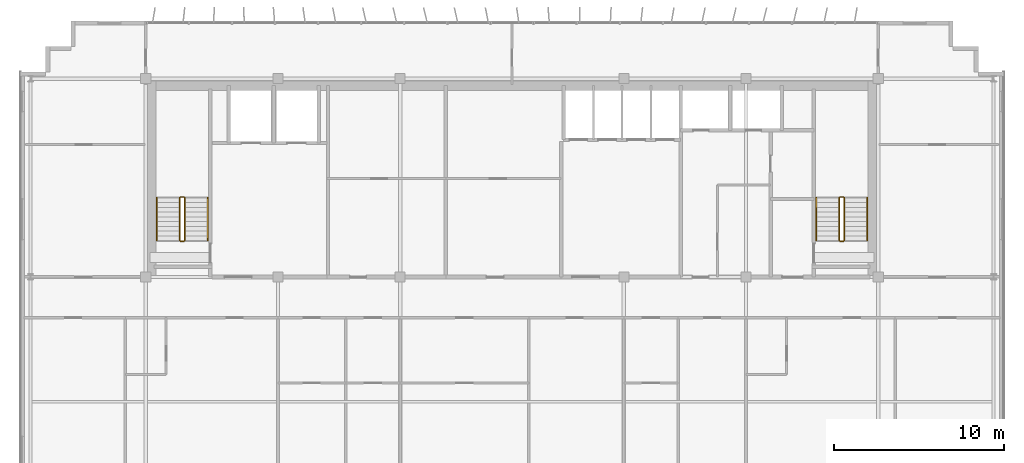
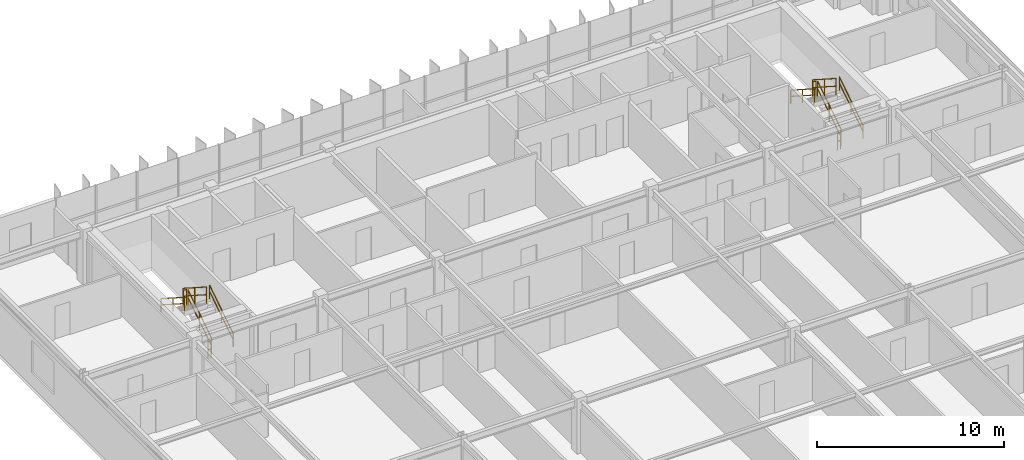
# One storey, part 22 of 22: 12 railings.
"""IFC4 building model written with IfcOpenShell, lengths in metres."""

from ifc_helpers import new_model, si_unit, direction, frame, origin, origin_2d, place, context, subcontext, project, spatial, rectangle, extrude, material, type_object, element, save


model = new_model("IFC4")

# Units and contexts
model_context = context("Model", 3, precision=1e-05, world=origin(), true_north=direction((0.0, 1.0)))
body_context = subcontext(model_context, "Body", "Model", "MODEL_VIEW")
ifc_project = project(units=[si_unit("LENGTHUNIT", "METRE"), si_unit("AREAUNIT", "SQUARE_METRE"), si_unit("VOLUMEUNIT", "CUBIC_METRE"), si_unit("PLANEANGLEUNIT", "RADIAN"), si_unit("MASSUNIT", "GRAM", prefix="KILO")], contexts=[model_context])

# Site, building, storey
site_placement = place(None, origin())
site = spatial("IfcSite", under=ifc_project, at=site_placement, CompositionType="ELEMENT")
building_placement = place(site_placement, origin())
building = spatial("IfcBuilding", under=site, at=building_placement, Name="Trelvane Seafront Commons", CompositionType="ELEMENT")
storey_placement = place(building_placement, frame((0.0, 0.0, 281.10009765625)))
storey = spatial("IfcBuildingStorey", under=building, at=storey_placement, Name="L73", CompositionType="ELEMENT", Elevation=281.10009765625)

# Railings
ifc_material = material(Name="Stainless steel balustrade", Category="steel")
railing_type_1 = type_object("IfcRailingType", Name="ARCH-SRL-GUARD", PredefinedType="GUARDRAIL", material=ifc_material)
railing_1_placement = place(storey_placement, frame((17.89990234375, 35.550048828125, 0.179931640625)))
element("IfcRailing", 1, at=railing_1_placement, inside=storey, type_object=railing_type_1, Name="L73 ST-1 stair guard 1", PredefinedType="GUARDRAIL", context=body_context, shape_type="SweptSolid", body=[
    extrude(rectangle(XDim=0.048095703125, YDim=0.048095703125, at=origin_2d()), frame((0.0, 0.0, 1.076171875), z_axis=(0.0, 0.841199657755, 0.540724639528), x_axis=(-1.0, 0.0, 0.0)), (0.0, 0.0, 1.0), 2.995849609375),
    extrude(rectangle(XDim=0.048095703125, YDim=0.048095703125, at=origin_2d()), frame((0.0, 0.0, 0.572021484375), z_axis=(0.0, 0.841199657755, 0.540724639528), x_axis=(-1.0, 0.0, 0.0)), (0.0, 0.0, 1.0), 2.995849609375),
    extrude(rectangle(XDim=0.0419921875, YDim=0.0419921875, at=origin_2d()), origin(), (0.0, 0.0, 1.0), 1.076171875),
    extrude(rectangle(XDim=0.0419921875, YDim=0.0419921875, at=origin_2d()), frame((0.0, 1.260009765625, 0.81005859375)), (0.0, 0.0, 1.0), 1.076171875),
    extrude(rectangle(XDim=0.0419921875, YDim=0.0419921875, at=origin_2d()), frame((0.0, 2.52001953125, 1.619873046875)), (0.0, 0.0, 1.0), 1.076171875),
])
railing_2_placement = place(storey_placement, frame((17.85009765625, 38.1201171875, 1.7998046875)))
element("IfcRailing", 2, at=railing_2_placement, inside=storey, type_object=railing_type_1, Name="L73 ST-1 stair guard 2", PredefinedType="GUARDRAIL", context=body_context, shape_type="SweptSolid", body=[
    extrude(rectangle(XDim=0.048095703125, YDim=0.048095703125, at=origin_2d()), frame((0.0, 0.0, 1.076171875), z_axis=(-1.0, 0.0, 0.0), x_axis=(0.0, -1.0, 0.0)), (0.0, 0.0, 1.0), 0.2001953125),
    extrude(rectangle(XDim=0.048095703125, YDim=0.048095703125, at=origin_2d()), frame((0.0, 0.0, 0.572021484375), z_axis=(-1.0, 0.0, 0.0), x_axis=(0.0, -1.0, 0.0)), (0.0, 0.0, 1.0), 0.2001953125),
    extrude(rectangle(XDim=0.0419921875, YDim=0.0419921875, at=origin_2d()), origin(), (0.0, 0.0, 1.0), 1.076171875),
    extrude(rectangle(XDim=0.0419921875, YDim=0.0419921875, at=origin_2d()), frame((-0.2001953125, 0.0, 0.0)), (0.0, 0.0, 1.0), 1.076171875),
])
railing_3_placement = place(storey_placement, frame((17.60009765625, 38.070068359375, 1.97998046875)))
element("IfcRailing", 3, at=railing_3_placement, inside=storey, type_object=railing_type_1, Name="L73 ST-1 stair guard 3", PredefinedType="GUARDRAIL", context=body_context, shape_type="SweptSolid", body=[
    extrude(rectangle(XDim=0.048095703125, YDim=0.048095703125, at=origin_2d()), frame((0.0, 0.0, 1.076171875), z_axis=(0.0, -0.841199657755, 0.540724639528), x_axis=(1.0, 0.0, 0.0)), (0.0, 0.0, 1.0), 2.995849609375),
    extrude(rectangle(XDim=0.048095703125, YDim=0.048095703125, at=origin_2d()), frame((0.0, 0.0, 0.572021484375), z_axis=(0.0, -0.841199657755, 0.540724639528), x_axis=(1.0, 0.0, 0.0)), (0.0, 0.0, 1.0), 2.995849609375),
    extrude(rectangle(XDim=0.0419921875, YDim=0.0419921875, at=origin_2d()), origin(), (0.0, 0.0, 1.0), 1.076171875),
    extrude(rectangle(XDim=0.0419921875, YDim=0.0419921875, at=origin_2d()), frame((0.0, -1.260009765625, 0.81005859375)), (0.0, 0.0, 1.0), 1.076171875),
    extrude(rectangle(XDim=0.0419921875, YDim=0.0419921875, at=origin_2d()), frame((0.0, -2.52001953125, 1.619873046875)), (0.0, 0.0, 1.0), 1.076171875),
])
railing_4_placement = place(storey_placement, frame((17.85009765625, 35.5, 0.0)))
element("IfcRailing", 4, at=railing_4_placement, inside=storey, type_object=railing_type_1, Name="L73 ST-1 stair guard 4", PredefinedType="GUARDRAIL", context=body_context, shape_type="SweptSolid", body=[
    extrude(rectangle(XDim=0.048095703125, YDim=0.048095703125, at=origin_2d()), frame((0.0, 0.0, 1.076171875), z_axis=(-1.0, 0.0, 0.0), x_axis=(0.0, -1.0, 0.0)), (0.0, 0.0, 1.0), 0.2001953125),
    extrude(rectangle(XDim=0.048095703125, YDim=0.048095703125, at=origin_2d()), frame((0.0, 0.0, 0.572021484375), z_axis=(-1.0, 0.0, 0.0), x_axis=(0.0, -1.0, 0.0)), (0.0, 0.0, 1.0), 0.2001953125),
    extrude(rectangle(XDim=0.0419921875, YDim=0.0419921875, at=origin_2d()), origin(), (0.0, 0.0, 1.0), 1.076171875),
    extrude(rectangle(XDim=0.0419921875, YDim=0.0419921875, at=origin_2d()), frame((-0.2001953125, 0.0, 0.0)), (0.0, 0.0, 1.0), 1.076171875),
])
railing_5_placement = place(storey_placement, frame((56.800048828125, 35.550048828125, 0.179931640625)))
element("IfcRailing", 5, at=railing_5_placement, inside=storey, type_object=railing_type_1, Name="L73 ST-2 stair guard 1", PredefinedType="GUARDRAIL", context=body_context, shape_type="SweptSolid", body=[
    extrude(rectangle(XDim=0.048095703125, YDim=0.048095703125, at=origin_2d()), frame((0.0, 0.0, 1.076171875), z_axis=(0.0, 0.841199657755, 0.540724639528), x_axis=(-1.0, 0.0, 0.0)), (0.0, 0.0, 1.0), 2.995849609375),
    extrude(rectangle(XDim=0.048095703125, YDim=0.048095703125, at=origin_2d()), frame((0.0, 0.0, 0.572021484375), z_axis=(0.0, 0.841199657755, 0.540724639528), x_axis=(-1.0, 0.0, 0.0)), (0.0, 0.0, 1.0), 2.995849609375),
    extrude(rectangle(XDim=0.0419921875, YDim=0.0419921875, at=origin_2d()), origin(), (0.0, 0.0, 1.0), 1.076171875),
    extrude(rectangle(XDim=0.0419921875, YDim=0.0419921875, at=origin_2d()), frame((0.0, 1.260009765625, 0.81005859375)), (0.0, 0.0, 1.0), 1.076171875),
    extrude(rectangle(XDim=0.0419921875, YDim=0.0419921875, at=origin_2d()), frame((0.0, 2.52001953125, 1.619873046875)), (0.0, 0.0, 1.0), 1.076171875),
])
railing_6_placement = place(storey_placement, frame((56.75, 38.1201171875, 1.7998046875)))
element("IfcRailing", 6, at=railing_6_placement, inside=storey, type_object=railing_type_1, Name="L73 ST-2 stair guard 2", PredefinedType="GUARDRAIL", context=body_context, shape_type="SweptSolid", body=[
    extrude(rectangle(XDim=0.048095703125, YDim=0.048095703125, at=origin_2d()), frame((0.0, 0.0, 1.076171875), z_axis=(-1.0, 0.0, 0.0), x_axis=(0.0, -1.0, 0.0)), (0.0, 0.0, 1.0), 0.199951171875),
    extrude(rectangle(XDim=0.048095703125, YDim=0.048095703125, at=origin_2d()), frame((0.0, 0.0, 0.572021484375), z_axis=(-1.0, 0.0, 0.0), x_axis=(0.0, -1.0, 0.0)), (0.0, 0.0, 1.0), 0.199951171875),
    extrude(rectangle(XDim=0.0419921875, YDim=0.0419921875, at=origin_2d()), origin(), (0.0, 0.0, 1.0), 1.076171875),
    extrude(rectangle(XDim=0.0419921875, YDim=0.0419921875, at=origin_2d()), frame((-0.199951171875, 0.0, 0.0)), (0.0, 0.0, 1.0), 1.076171875),
])
railing_7_placement = place(storey_placement, frame((56.5, 38.070068359375, 1.97998046875)))
element("IfcRailing", 7, at=railing_7_placement, inside=storey, type_object=railing_type_1, Name="L73 ST-2 stair guard 3", PredefinedType="GUARDRAIL", context=body_context, shape_type="SweptSolid", body=[
    extrude(rectangle(XDim=0.048095703125, YDim=0.048095703125, at=origin_2d()), frame((0.0, 0.0, 1.076171875), z_axis=(0.0, -0.841199657755, 0.540724639528), x_axis=(1.0, 0.0, 0.0)), (0.0, 0.0, 1.0), 2.995849609375),
    extrude(rectangle(XDim=0.048095703125, YDim=0.048095703125, at=origin_2d()), frame((0.0, 0.0, 0.572021484375), z_axis=(0.0, -0.841199657755, 0.540724639528), x_axis=(1.0, 0.0, 0.0)), (0.0, 0.0, 1.0), 2.995849609375),
    extrude(rectangle(XDim=0.0419921875, YDim=0.0419921875, at=origin_2d()), origin(), (0.0, 0.0, 1.0), 1.076171875),
    extrude(rectangle(XDim=0.0419921875, YDim=0.0419921875, at=origin_2d()), frame((0.0, -1.260009765625, 0.81005859375)), (0.0, 0.0, 1.0), 1.076171875),
    extrude(rectangle(XDim=0.0419921875, YDim=0.0419921875, at=origin_2d()), frame((0.0, -2.52001953125, 1.619873046875)), (0.0, 0.0, 1.0), 1.076171875),
])
railing_8_placement = place(storey_placement, frame((56.75, 35.5, 0.0)))
element("IfcRailing", 8, at=railing_8_placement, inside=storey, type_object=railing_type_1, Name="L73 ST-2 stair guard 4", PredefinedType="GUARDRAIL", context=body_context, shape_type="SweptSolid", body=[
    extrude(rectangle(XDim=0.048095703125, YDim=0.048095703125, at=origin_2d()), frame((0.0, 0.0, 1.076171875), z_axis=(-1.0, 0.0, 0.0), x_axis=(0.0, -1.0, 0.0)), (0.0, 0.0, 1.0), 0.199951171875),
    extrude(rectangle(XDim=0.048095703125, YDim=0.048095703125, at=origin_2d()), frame((0.0, 0.0, 0.572021484375), z_axis=(-1.0, 0.0, 0.0), x_axis=(0.0, -1.0, 0.0)), (0.0, 0.0, 1.0), 0.199951171875),
    extrude(rectangle(XDim=0.0419921875, YDim=0.0419921875, at=origin_2d()), origin(), (0.0, 0.0, 1.0), 1.076171875),
    extrude(rectangle(XDim=0.0419921875, YDim=0.0419921875, at=origin_2d()), frame((-0.199951171875, 0.0, 0.0)), (0.0, 0.0, 1.0), 1.076171875),
])
railing_type_2 = type_object("IfcRailingType", Name="ARCH-SRL-HAND", PredefinedType="HANDRAIL", material=ifc_material)
railing_9_placement = place(storey_placement, frame((19.25, 35.550048828125, 0.179931640625)))
element("IfcRailing", 9, at=railing_9_placement, inside=storey, type_object=railing_type_2, Name="L73 ST-1 stair handrail 1", PredefinedType="HANDRAIL", context=body_context, shape_type="SweptSolid", body=[
    extrude(rectangle(XDim=0.048095703125, YDim=0.048095703125, at=origin_2d()), frame((0.0, 0.0, 0.8759765625), z_axis=(0.0, 0.841199657755, 0.540724639528), x_axis=(-1.0, 0.0, 0.0)), (0.0, 0.0, 1.0), 2.995849609375),
    extrude(rectangle(XDim=0.048095703125, YDim=0.048095703125, at=origin_2d()), frame((0.0, 0.0, 0.468017578125), z_axis=(0.0, 0.841199657755, 0.540724639528), x_axis=(-1.0, 0.0, 0.0)), (0.0, 0.0, 1.0), 2.995849609375),
    extrude(rectangle(XDim=0.0419921875, YDim=0.0419921875, at=origin_2d()), origin(), (0.0, 0.0, 1.0), 0.8759765625),
    extrude(rectangle(XDim=0.0419921875, YDim=0.0419921875, at=origin_2d()), frame((0.0, 1.260009765625, 0.81005859375)), (0.0, 0.0, 1.0), 0.8759765625),
    extrude(rectangle(XDim=0.0419921875, YDim=0.0419921875, at=origin_2d()), frame((0.0, 2.52001953125, 1.619873046875)), (0.0, 0.0, 1.0), 0.8759765625),
])
railing_10_placement = place(storey_placement, frame((16.25, 38.070068359375, 1.97998046875)))
element("IfcRailing", 10, at=railing_10_placement, inside=storey, type_object=railing_type_2, Name="L73 ST-1 stair handrail 2", PredefinedType="HANDRAIL", context=body_context, shape_type="SweptSolid", body=[
    extrude(rectangle(XDim=0.048095703125, YDim=0.048095703125, at=origin_2d()), frame((0.0, 0.0, 0.8759765625), z_axis=(0.0, -0.841199657755, 0.540724639528), x_axis=(1.0, 0.0, 0.0)), (0.0, 0.0, 1.0), 2.995849609375),
    extrude(rectangle(XDim=0.048095703125, YDim=0.048095703125, at=origin_2d()), frame((0.0, 0.0, 0.468017578125), z_axis=(0.0, -0.841199657755, 0.540724639528), x_axis=(1.0, 0.0, 0.0)), (0.0, 0.0, 1.0), 2.995849609375),
    extrude(rectangle(XDim=0.0419921875, YDim=0.0419921875, at=origin_2d()), origin(), (0.0, 0.0, 1.0), 0.8759765625),
    extrude(rectangle(XDim=0.0419921875, YDim=0.0419921875, at=origin_2d()), frame((0.0, -1.260009765625, 0.81005859375)), (0.0, 0.0, 1.0), 0.8759765625),
    extrude(rectangle(XDim=0.0419921875, YDim=0.0419921875, at=origin_2d()), frame((0.0, -2.52001953125, 1.619873046875)), (0.0, 0.0, 1.0), 0.8759765625),
])
railing_11_placement = place(storey_placement, frame((58.14990234375, 35.550048828125, 0.179931640625)))
element("IfcRailing", 11, at=railing_11_placement, inside=storey, type_object=railing_type_2, Name="L73 ST-2 stair handrail 1", PredefinedType="HANDRAIL", context=body_context, shape_type="SweptSolid", body=[
    extrude(rectangle(XDim=0.048095703125, YDim=0.048095703125, at=origin_2d()), frame((0.0, 0.0, 0.8759765625), z_axis=(0.0, 0.841199657755, 0.540724639528), x_axis=(-1.0, 0.0, 0.0)), (0.0, 0.0, 1.0), 2.995849609375),
    extrude(rectangle(XDim=0.048095703125, YDim=0.048095703125, at=origin_2d()), frame((0.0, 0.0, 0.468017578125), z_axis=(0.0, 0.841199657755, 0.540724639528), x_axis=(-1.0, 0.0, 0.0)), (0.0, 0.0, 1.0), 2.995849609375),
    extrude(rectangle(XDim=0.0419921875, YDim=0.0419921875, at=origin_2d()), origin(), (0.0, 0.0, 1.0), 0.8759765625),
    extrude(rectangle(XDim=0.0419921875, YDim=0.0419921875, at=origin_2d()), frame((0.0, 1.260009765625, 0.81005859375)), (0.0, 0.0, 1.0), 0.8759765625),
    extrude(rectangle(XDim=0.0419921875, YDim=0.0419921875, at=origin_2d()), frame((0.0, 2.52001953125, 1.619873046875)), (0.0, 0.0, 1.0), 0.8759765625),
])
railing_12_placement = place(storey_placement, frame((55.14990234375, 38.070068359375, 1.97998046875)))
element("IfcRailing", 12, at=railing_12_placement, inside=storey, type_object=railing_type_2, Name="L73 ST-2 stair handrail 2", PredefinedType="HANDRAIL", context=body_context, shape_type="SweptSolid", body=[
    extrude(rectangle(XDim=0.048095703125, YDim=0.048095703125, at=origin_2d()), frame((0.0, 0.0, 0.8759765625), z_axis=(0.0, -0.841199657755, 0.540724639528), x_axis=(1.0, 0.0, 0.0)), (0.0, 0.0, 1.0), 2.995849609375),
    extrude(rectangle(XDim=0.048095703125, YDim=0.048095703125, at=origin_2d()), frame((0.0, 0.0, 0.468017578125), z_axis=(0.0, -0.841199657755, 0.540724639528), x_axis=(1.0, 0.0, 0.0)), (0.0, 0.0, 1.0), 2.995849609375),
    extrude(rectangle(XDim=0.0419921875, YDim=0.0419921875, at=origin_2d()), origin(), (0.0, 0.0, 1.0), 0.8759765625),
    extrude(rectangle(XDim=0.0419921875, YDim=0.0419921875, at=origin_2d()), frame((0.0, -1.260009765625, 0.81005859375)), (0.0, 0.0, 1.0), 0.8759765625),
    extrude(rectangle(XDim=0.0419921875, YDim=0.0419921875, at=origin_2d()), frame((0.0, -2.52001953125, 1.619873046875)), (0.0, 0.0, 1.0), 0.8759765625),
])

save(model, "model.ifc")
